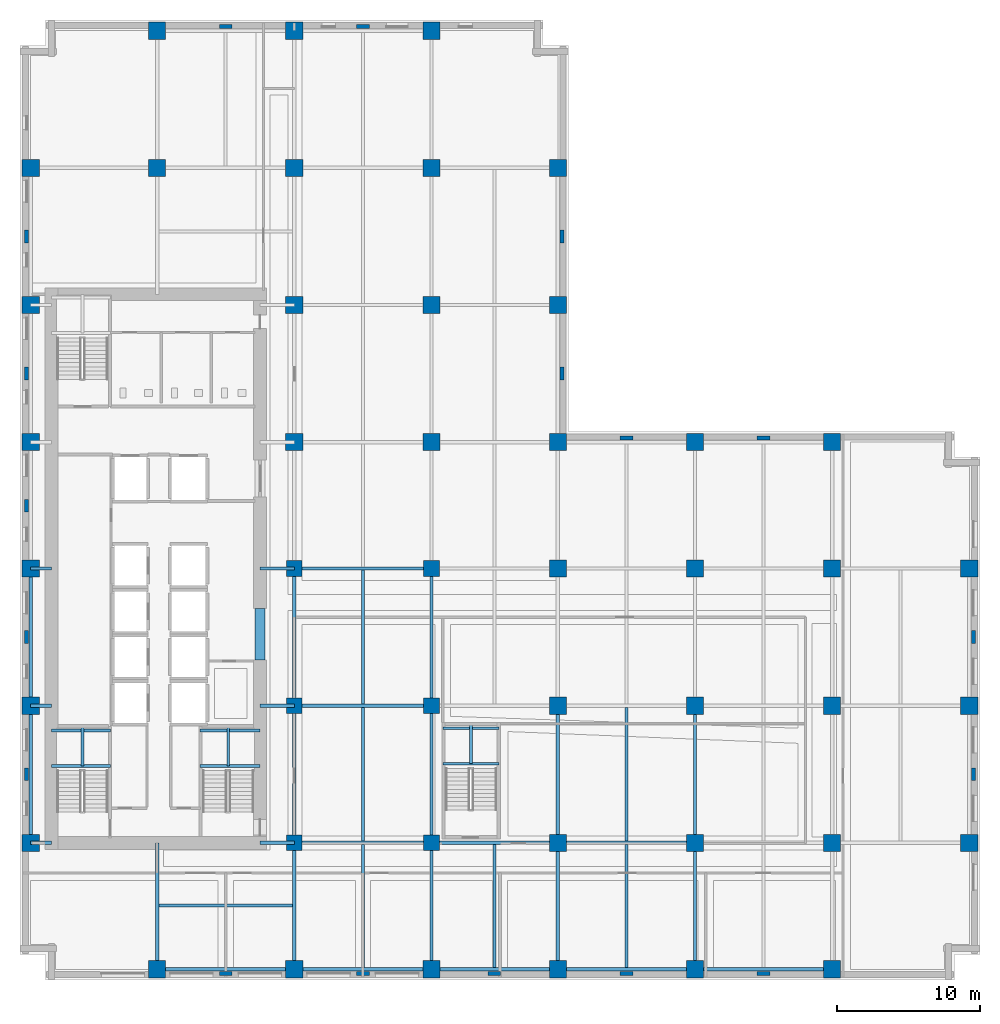
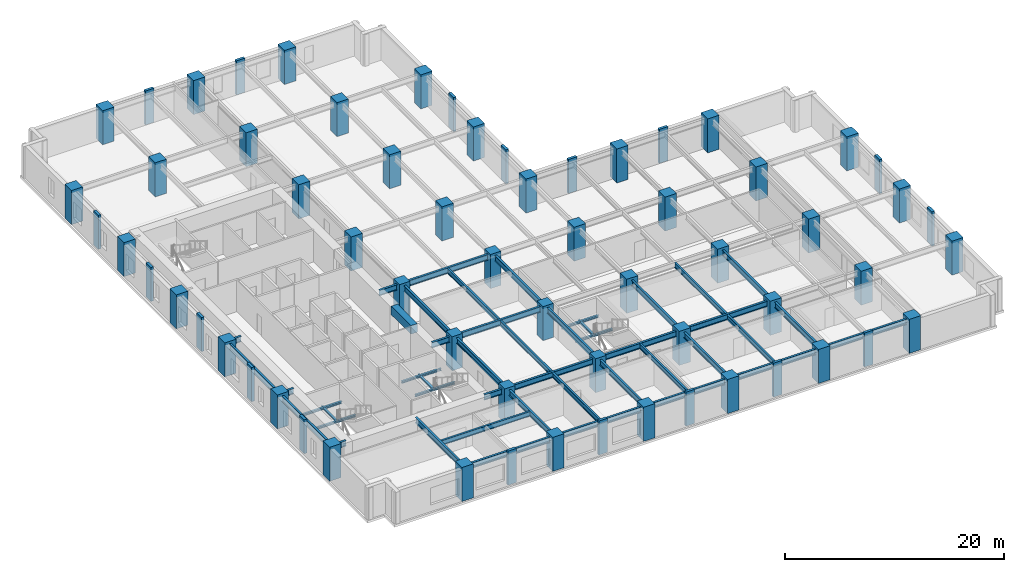
# One storey, part 1 of 13: 63 columns, 46 beams.
"""IFC4 building model written with IfcOpenShell, lengths in metres."""

from ifc_helpers import new_model, si_unit, direction, frame, origin, origin_2d, place, context, subcontext, project, spatial, rectangle, i_section, extrude, material, material_profile, profile_set, type_object, element, save


model = new_model("IFC4")

# Units and contexts
model_context = context("Model", 3, precision=1e-05, world=origin(), true_north=direction((0.0, 1.0)))
body_context = subcontext(model_context, "Body", "Model", "MODEL_VIEW")
ifc_project = project(units=[si_unit("LENGTHUNIT", "METRE"), si_unit("AREAUNIT", "SQUARE_METRE"), si_unit("VOLUMEUNIT", "CUBIC_METRE"), si_unit("PLANEANGLEUNIT", "RADIAN"), si_unit("MASSUNIT", "GRAM", prefix="KILO")], contexts=[model_context])

# Site, building, storey
site_placement = place(None, origin())
site = spatial("IfcSite", under=ifc_project, at=site_placement, CompositionType="ELEMENT")
building_placement = place(site_placement, origin())
building = spatial("IfcBuilding", under=site, at=building_placement, Name="Norrvale University Quadrangle", CompositionType="ELEMENT")
storey_placement = place(building_placement, frame((0.0, 0.0, 31.800048828125)))
storey = spatial("IfcBuildingStorey", under=building, at=storey_placement, Name="L07", CompositionType="ELEMENT", Elevation=31.800048828125)

# Columns
ifc_material_1 = material(Name="Buff Brick Concrete C60/75", Category="concrete")
ifc_material_profile_1 = material_profile(ifc_material_1, rectangle(XDim=0.89990234375, YDim=0.280029296875, at=origin_2d()), Name="Buff Brick Concrete C60/75")
ifc_profile_set_1 = profile_set([ifc_material_profile_1], Name="Buff Brick Concrete C60/75")
column_type_1 = type_object("IfcColumnType", Name="Column Buff Pier 900x280", PredefinedType="PILASTER", material=ifc_profile_set_1)
for number, where, z_axis, x_axis, name in (
    (1, (0.449951171875, 14.39990234375, 0.0), (0.0, 0.0, 1.0), (0.0, 1.0, 0.0), "Exterior Brick Facade Pilaster L07-01"),
    (2, (0.449951171875, 24.0, 0.0), (0.0, 0.0, 1.0), (0.0, 1.0, 0.0), "Exterior Brick Facade Pilaster L07-02"),
    (3, (0.449951171875, 33.199951171875, 0.0), (0.0, 0.0, 1.0), (0.0, 1.0, 0.0), "Exterior Brick Facade Pilaster L07-03"),
    (4, (0.449951171875, 42.449951171875, 0.0), (0.0, 0.0, 1.0), (0.0, 1.0, 0.0), "Exterior Brick Facade Pilaster L07-04"),
    (5, (0.449951171875, 52.050048828125, 0.0), (0.0, 0.0, 1.0), (0.0, 1.0, 0.0), "Exterior Brick Facade Pilaster L07-05"),
    (6, (14.39990234375, 0.449951171875, 0.0), (0.0, 0.0, 1.0), (1.0, 0.0, 0.0), "Exterior Brick Facade Pilaster L07-06"),
    (7, (24.0, 0.449951171875, 0.0), (0.0, 0.0, 1.0), (1.0, 0.0, 0.0), "Exterior Brick Facade Pilaster L07-07"),
    (8, (33.199951171875, 0.449951171875, 0.0), (0.0, 0.0, 1.0), (1.0, 0.0, 0.0), "Exterior Brick Facade Pilaster L07-08"),
    (9, (42.449951171875, 0.449951171875, 0.0), (0.0, 0.0, 1.0), (1.0, 0.0, 0.0), "Exterior Brick Facade Pilaster L07-09"),
    (10, (52.050048828125, 0.449951171875, 0.0), (0.0, 0.0, 1.0), (1.0, 0.0, 0.0), "Exterior Brick Facade Pilaster L07-10"),
    (11, (66.75, 14.39990234375, 0.0), (0.0, 0.0, 1.0), (0.0, 1.0, 0.0), "Exterior Brick Facade Pilaster L07-11"),
    (12, (66.75, 24.0, 0.0), (0.0, 0.0, 1.0), (0.0, 1.0, 0.0), "Exterior Brick Facade Pilaster L07-12"),
    (13, (14.39990234375, 66.75, 0.0), (0.0, 0.0, 1.0), (1.0, 0.0, 0.0), "Exterior Brick Facade Pilaster L07-13"),
    (14, (24.0, 66.75, 0.0), (0.0, 0.0, 1.0), (1.0, 0.0, 0.0), "Exterior Brick Facade Pilaster L07-14"),
    (15, (37.949951171875, 42.449951171875, 0.0), (0.0, 0.0, 1.0), (0.0, 1.0, 0.0), "Exterior Brick Facade Pilaster L07-15"),
    (16, (37.949951171875, 52.050048828125, 0.0), (0.0, 0.0, 1.0), (0.0, 1.0, 0.0), "Exterior Brick Facade Pilaster L07-16"),
    (17, (42.449951171875, 37.949951171875, 0.0), (0.0, 0.0, 1.0), (1.0, 0.0, 0.0), "Exterior Brick Facade Pilaster L07-17"),
    (18, (52.050048828125, 37.949951171875, 0.0), (0.0, 0.0, 1.0), (1.0, 0.0, 0.0), "Exterior Brick Facade Pilaster L07-18"),
):
    element("IfcColumn", number, at=place(storey_placement, frame(where, z_axis=z_axis, x_axis=x_axis)), inside=storey, type_object=column_type_1, Name=name, PredefinedType="PILASTER", context=body_context, shape_type="SweptSolid", body=[
        extrude(rectangle(XDim=0.89990234375, YDim=0.280029296875, at=origin_2d()), origin(), (0.0, 0.0, 1.0), 3.800048828125),
    ])
ifc_material_2 = material(Name="Concrete C80/95", Category="concrete")
ifc_material_profile_2 = material_profile(ifc_material_2, rectangle(XDim=1.10009765625, YDim=1.10009765625, at=origin_2d()), Name="Concrete C80/95")
ifc_profile_set_2 = profile_set([ifc_material_profile_2], Name="Concrete C80/95")
column_type_2 = type_object("IfcColumnType", Name="Column Tower Z1 1100x1100", PredefinedType="COLUMN", material=ifc_profile_set_2)
for number, where, z_axis, x_axis, name in (
    (19, (19.199951171875, 9.60009765625, 0.0), (0.0, 0.0, 1.0), (1.0, 0.0, 0.0), "Tower Column L07-T11"),
    (20, (19.199951171875, 19.199951171875, 0.0), (0.0, 0.0, 1.0), (1.0, 0.0, 0.0), "Tower Column L07-T12"),
    (21, (19.199951171875, 28.800048828125, 0.0), (0.0, 0.0, 1.0), (1.0, 0.0, 0.0), "Tower Column L07-T13"),
    (22, (28.800048828125, 9.60009765625, 0.0), (0.0, 0.0, 1.0), (1.0, 0.0, 0.0), "Tower Column L07-T19"),
    (23, (28.800048828125, 19.199951171875, 0.0), (0.0, 0.0, 1.0), (1.0, 0.0, 0.0), "Tower Column L07-T20"),
    (24, (28.800048828125, 28.800048828125, 0.0), (0.0, 0.0, 1.0), (1.0, 0.0, 0.0), "Tower Column L07-T21"),
):
    element("IfcColumn", number, at=place(storey_placement, frame(where, z_axis=z_axis, x_axis=x_axis)), inside=storey, type_object=column_type_2, Name=name, PredefinedType="COLUMN", context=body_context, shape_type="SweptSolid", body=[
        extrude(rectangle(XDim=1.10009765625, YDim=1.10009765625, at=origin_2d()), origin(), (0.0, 0.0, 1.0), 3.800048828125),
    ])
ifc_material_profile_3 = material_profile(ifc_material_2, rectangle(XDim=1.199951171875, YDim=1.199951171875, at=origin_2d()), Name="Concrete C80/95")
ifc_profile_set_3 = profile_set([ifc_material_profile_3], Name="Concrete C80/95")
column_type_3 = type_object("IfcColumnType", Name="Column Tower Z1 1200x1200", PredefinedType="COLUMN", material=ifc_profile_set_3)
for number, where, z_axis, x_axis, name in (
    (25, (0.75, 9.60009765625, 0.0), (0.0, 0.0, 1.0), (1.0, 0.0, 0.0), "Tower Column L07-T01"),
    (26, (0.75, 19.199951171875, 0.0), (0.0, 0.0, 1.0), (1.0, 0.0, 0.0), "Tower Column L07-T02"),
    (27, (0.75, 28.800048828125, 0.0), (0.0, 0.0, 1.0), (1.0, 0.0, 0.0), "Tower Column L07-T03"),
    (28, (0.75, 37.64990234375, 0.0), (0.0, 0.0, 1.0), (1.0, 0.0, 0.0), "Tower Column L07-T04"),
    (29, (0.75, 47.25, 0.0), (0.0, 0.0, 1.0), (1.0, 0.0, 0.0), "Tower Column L07-T05"),
    (30, (0.75, 56.85009765625, 0.0), (0.0, 0.0, 1.0), (1.0, 0.0, 0.0), "Tower Column L07-T06"),
    (31, (9.60009765625, 0.75, 0.0), (0.0, 0.0, 1.0), (1.0, 0.0, 0.0), "Tower Column L07-T07"),
    (32, (9.60009765625, 56.85009765625, 0.0), (0.0, 0.0, 1.0), (1.0, 0.0, 0.0), "Tower Column L07-T08"),
    (33, (9.60009765625, 66.449951171875, 0.0), (0.0, 0.0, 1.0), (1.0, 0.0, 0.0), "Tower Column L07-T09"),
    (34, (19.199951171875, 0.75, 0.0), (0.0, 0.0, 1.0), (1.0, 0.0, 0.0), "Tower Column L07-T10"),
    (35, (19.199951171875, 37.64990234375, 0.0), (0.0, 0.0, 1.0), (1.0, 0.0, 0.0), "Tower Column L07-T14"),
    (36, (19.199951171875, 47.25, 0.0), (0.0, 0.0, 1.0), (1.0, 0.0, 0.0), "Tower Column L07-T15"),
    (37, (19.199951171875, 56.85009765625, 0.0), (0.0, 0.0, 1.0), (1.0, 0.0, 0.0), "Tower Column L07-T16"),
    (38, (19.199951171875, 66.449951171875, 0.0), (0.0, 0.0, 1.0), (1.0, 0.0, 0.0), "Tower Column L07-T17"),
    (39, (28.800048828125, 0.75, 0.0), (0.0, 0.0, 1.0), (1.0, 0.0, 0.0), "Tower Column L07-T18"),
    (40, (28.800048828125, 37.64990234375, 0.0), (0.0, 0.0, 1.0), (1.0, 0.0, 0.0), "Tower Column L07-T22"),
    (41, (28.800048828125, 47.25, 0.0), (0.0, 0.0, 1.0), (1.0, 0.0, 0.0), "Tower Column L07-T23"),
    (42, (28.800048828125, 56.85009765625, 0.0), (0.0, 0.0, 1.0), (1.0, 0.0, 0.0), "Tower Column L07-T24"),
    (43, (28.800048828125, 66.449951171875, 0.0), (0.0, 0.0, 1.0), (1.0, 0.0, 0.0), "Tower Column L07-T25"),
    (44, (37.64990234375, 0.75, 0.0), (0.0, 0.0, 1.0), (1.0, 0.0, 0.0), "Tower Column L07-T26"),
    (45, (37.64990234375, 9.60009765625, 0.0), (0.0, 0.0, 1.0), (1.0, 0.0, 0.0), "Tower Column L07-T27"),
    (46, (37.64990234375, 19.199951171875, 0.0), (0.0, 0.0, 1.0), (1.0, 0.0, 0.0), "Tower Column L07-T28"),
    (47, (37.64990234375, 28.800048828125, 0.0), (0.0, 0.0, 1.0), (1.0, 0.0, 0.0), "Tower Column L07-T29"),
    (48, (37.64990234375, 37.64990234375, 0.0), (0.0, 0.0, 1.0), (1.0, 0.0, 0.0), "Tower Column L07-T30"),
    (49, (37.64990234375, 47.25, 0.0), (0.0, 0.0, 1.0), (1.0, 0.0, 0.0), "Tower Column L07-T31"),
    (50, (37.64990234375, 56.85009765625, 0.0), (0.0, 0.0, 1.0), (1.0, 0.0, 0.0), "Tower Column L07-T32"),
    (51, (47.25, 0.75, 0.0), (0.0, 0.0, 1.0), (1.0, 0.0, 0.0), "Tower Column L07-T33"),
    (52, (47.25, 9.60009765625, 0.0), (0.0, 0.0, 1.0), (1.0, 0.0, 0.0), "Tower Column L07-T34"),
    (53, (47.25, 19.199951171875, 0.0), (0.0, 0.0, 1.0), (1.0, 0.0, 0.0), "Tower Column L07-T35"),
    (54, (47.25, 28.800048828125, 0.0), (0.0, 0.0, 1.0), (1.0, 0.0, 0.0), "Tower Column L07-T36"),
    (55, (47.25, 37.64990234375, 0.0), (0.0, 0.0, 1.0), (1.0, 0.0, 0.0), "Tower Column L07-T37"),
    (56, (56.85009765625, 0.75, 0.0), (0.0, 0.0, 1.0), (1.0, 0.0, 0.0), "Tower Column L07-T38"),
    (57, (56.85009765625, 9.60009765625, 0.0), (0.0, 0.0, 1.0), (1.0, 0.0, 0.0), "Tower Column L07-T39"),
    (58, (56.85009765625, 19.199951171875, 0.0), (0.0, 0.0, 1.0), (1.0, 0.0, 0.0), "Tower Column L07-T40"),
    (59, (56.85009765625, 28.800048828125, 0.0), (0.0, 0.0, 1.0), (1.0, 0.0, 0.0), "Tower Column L07-T41"),
    (60, (56.85009765625, 37.64990234375, 0.0), (0.0, 0.0, 1.0), (1.0, 0.0, 0.0), "Tower Column L07-T42"),
    (61, (66.449951171875, 9.60009765625, 0.0), (0.0, 0.0, 1.0), (1.0, 0.0, 0.0), "Tower Column L07-T43"),
    (62, (66.449951171875, 19.199951171875, 0.0), (0.0, 0.0, 1.0), (1.0, 0.0, 0.0), "Tower Column L07-T44"),
    (63, (66.449951171875, 28.800048828125, 0.0), (0.0, 0.0, 1.0), (1.0, 0.0, 0.0), "Tower Column L07-T45"),
):
    element("IfcColumn", number, at=place(storey_placement, frame(where, z_axis=z_axis, x_axis=x_axis)), inside=storey, type_object=column_type_3, Name=name, PredefinedType="COLUMN", context=body_context, shape_type="SweptSolid", body=[
        extrude(rectangle(XDim=1.199951171875, YDim=1.199951171875, at=origin_2d()), origin(), (0.0, 0.0, 1.0), 3.800048828125),
    ])

# Beams
ifc_material_profile_4 = material_profile(ifc_material_2, rectangle(XDim=0.699951171875, YDim=0.949951171875, at=origin_2d()), Name="Concrete C80/95")
ifc_profile_set_4 = profile_set([ifc_material_profile_4], Name="Concrete C80/95")
beam_type_1 = type_object("IfcBeamType", Name="Beam Core Link 700x950", PredefinedType="LINTEL", material=ifc_profile_set_4)
beam_1_placement = place(storey_placement, frame((16.800048828125, 22.39990234375, 3.06494140625), z_axis=(0.0, 1.0, 0.0), x_axis=(-1.0, 0.0, 0.0)))
element("IfcBeam", 64, at=beam_1_placement, inside=storey, type_object=beam_type_1, Name="Core Coupling Lintel Beam L07-1", PredefinedType="LINTEL", context=body_context, shape_type="SweptSolid", body=[
    extrude(rectangle(XDim=0.699951171875, YDim=0.949951171875, at=origin_2d()), origin(), (0.0, 0.0, 1.0), 3.60009765625),
])
ifc_material_3 = material(Name="Steel 350W", Category="steel")
ifc_material_profile_5 = material_profile(ifc_material_3, i_section(OverallWidth=0.208984375, OverallDepth=0.532958984375, WebThickness=0.01025390625, FlangeThickness=0.015625, FilletRadius=0.013916015625, at=origin_2d()), Name="Steel 350W")
ifc_profile_set_5 = profile_set([ifc_material_profile_5], Name="Steel 350W")
beam_type_2 = type_object("IfcBeamType", Name="Beam Floor W530x92", PredefinedType="JOIST", material=ifc_profile_set_5)
beam_2_placement = place(storey_placement, frame((24.0, 0.864990234375, 3.2734375), z_axis=(0.0, 1.0, 0.0), x_axis=(-1.0, 0.0, 0.0)))
element("IfcBeam", 65, at=beam_2_placement, inside=storey, type_object=beam_type_2, Name="Beam Floor W530x92 BM-L07-J080", PredefinedType="JOIST", context=body_context, shape_type="SweptSolid", body=[
    extrude(i_section(OverallWidth=0.208984375, OverallDepth=0.532958984375, WebThickness=0.01025390625, FlangeThickness=0.015625, FilletRadius=0.013916015625, at=origin_2d()), origin(), (0.0, 0.0, 1.0), 8.6201171875),
])
beam_3_placement = place(storey_placement, frame((24.0, 9.715087890625, 3.2734375), z_axis=(0.0, 1.0, 0.0), x_axis=(-1.0, 0.0, 0.0)))
element("IfcBeam", 66, at=beam_3_placement, inside=storey, type_object=beam_type_2, Name="Beam Floor W530x92 BM-L07-J081", PredefinedType="JOIST", context=body_context, shape_type="SweptSolid", body=[
    extrude(i_section(OverallWidth=0.208984375, OverallDepth=0.532958984375, WebThickness=0.01025390625, FlangeThickness=0.015625, FilletRadius=0.013916015625, at=origin_2d()), origin(), (0.0, 0.0, 1.0), 9.369873046875),
])
beam_4_placement = place(storey_placement, frame((24.0, 19.31494140625, 3.2734375), z_axis=(0.0, 1.0, 0.0), x_axis=(-1.0, 0.0, 0.0)))
element("IfcBeam", 67, at=beam_4_placement, inside=storey, type_object=beam_type_2, Name="Beam Floor W530x92 BM-L07-J082", PredefinedType="JOIST", context=body_context, shape_type="SweptSolid", body=[
    extrude(i_section(OverallWidth=0.208984375, OverallDepth=0.532958984375, WebThickness=0.01025390625, FlangeThickness=0.015625, FilletRadius=0.013916015625, at=origin_2d()), origin(), (0.0, 0.0, 1.0), 9.3701171875),
])
for number, where, z_axis, x_axis, name in (
    (68, (33.22509765625, 0.864990234375, 3.2734375), (0.0, 1.0, 0.0), (-1.0, 0.0, 0.0), "Beam Floor W530x92 BM-L07-J087"),
    (69, (42.449951171875, 0.864990234375, 3.2734375), (0.0, 1.0, 0.0), (-1.0, 0.0, 0.0), "Beam Floor W530x92 BM-L07-J092"),
):
    element("IfcBeam", number, at=place(storey_placement, frame(where, z_axis=z_axis, x_axis=x_axis)), inside=storey, type_object=beam_type_2, Name=name, PredefinedType="JOIST", context=body_context, shape_type="SweptSolid", body=[
        extrude(i_section(OverallWidth=0.208984375, OverallDepth=0.532958984375, WebThickness=0.01025390625, FlangeThickness=0.015625, FilletRadius=0.013916015625, at=origin_2d()), origin(), (0.0, 0.0, 1.0), 8.6201171875),
    ])
for number, where, z_axis, x_axis, name in (
    (70, (42.449951171875, 9.715087890625, 3.2734375), (0.0, 1.0, 0.0), (-1.0, 0.0, 0.0), "Beam Floor W530x92 BM-L07-J093"),
    (71, (9.715087890625, 5.199951171875, 3.2734375), (1.0, 0.0, 0.0), (0.0, 1.0, 0.0), "Beam Floor W530x92 BM-L07-JCS103"),
):
    element("IfcBeam", number, at=place(storey_placement, frame(where, z_axis=z_axis, x_axis=x_axis)), inside=storey, type_object=beam_type_2, Name=name, PredefinedType="JOIST", context=body_context, shape_type="SweptSolid", body=[
        extrude(i_section(OverallWidth=0.208984375, OverallDepth=0.532958984375, WebThickness=0.01025390625, FlangeThickness=0.015625, FilletRadius=0.013916015625, at=origin_2d()), origin(), (0.0, 0.0, 1.0), 9.369873046875),
    ])
ifc_material_profile_6 = material_profile(ifc_material_3, i_section(OverallWidth=0.22998046875, OverallDepth=0.616943359375, WebThickness=0.01318359375, FlangeThickness=0.022216796875, FilletRadius=0.01611328125, at=origin_2d()), Name="Steel 350W")
ifc_profile_set_6 = profile_set([ifc_material_profile_6], Name="Steel 350W")
beam_type_3 = type_object("IfcBeamType", Name="Beam Floor W610x140", PredefinedType="BEAM", material=ifc_profile_set_6)
beam_5_placement = place(storey_placement, frame((9.60009765625, 0.75, 3.2314453125), z_axis=(1.0, 0.0, 0.0), x_axis=(0.0, 1.0, 0.0)))
element("IfcBeam", 72, at=beam_5_placement, inside=storey, type_object=beam_type_3, Name="Beam Floor W610x140 BM-L07-GX001", PredefinedType="BEAM", context=body_context, shape_type="SweptSolid", body=[
    extrude(i_section(OverallWidth=0.22998046875, OverallDepth=0.616943359375, WebThickness=0.01318359375, FlangeThickness=0.022216796875, FilletRadius=0.01611328125, at=origin_2d()), origin(), (0.0, 0.0, 1.0), 9.599853515625),
])
beam_6_placement = place(storey_placement, frame((19.199951171875, 0.75, 3.2314453125), z_axis=(1.0, 0.0, 0.0), x_axis=(0.0, 1.0, 0.0)))
element("IfcBeam", 73, at=beam_6_placement, inside=storey, type_object=beam_type_3, Name="Beam Floor W610x140 BM-L07-GX002", PredefinedType="BEAM", context=body_context, shape_type="SweptSolid", body=[
    extrude(i_section(OverallWidth=0.22998046875, OverallDepth=0.616943359375, WebThickness=0.01318359375, FlangeThickness=0.022216796875, FilletRadius=0.01611328125, at=origin_2d()), origin(), (0.0, 0.0, 1.0), 9.60009765625),
])
beam_7_placement = place(storey_placement, frame((28.800048828125, 0.75, 3.2314453125), z_axis=(1.0, 0.0, 0.0), x_axis=(0.0, 1.0, 0.0)))
element("IfcBeam", 74, at=beam_7_placement, inside=storey, type_object=beam_type_3, Name="Beam Floor W610x140 BM-L07-GX003", PredefinedType="BEAM", context=body_context, shape_type="SweptSolid", body=[
    extrude(i_section(OverallWidth=0.22998046875, OverallDepth=0.616943359375, WebThickness=0.01318359375, FlangeThickness=0.022216796875, FilletRadius=0.01611328125, at=origin_2d()), origin(), (0.0, 0.0, 1.0), 8.849853515625),
])
for number, where, z_axis, x_axis, name in (
    (75, (37.64990234375, 0.75, 3.2314453125), (1.0, 0.0, 0.0), (0.0, 1.0, 0.0), "Beam Floor W610x140 BM-L07-GX004"),
    (76, (47.25, 0.75, 3.2314453125), (1.0, 0.0, 0.0), (0.0, 1.0, 0.0), "Beam Floor W610x140 BM-L07-GX005"),
    (77, (19.199951171875, 9.60009765625, 3.2314453125), (1.0, 0.0, 0.0), (0.0, 1.0, 0.0), "Beam Floor W610x140 BM-L07-GX006"),
):
    element("IfcBeam", number, at=place(storey_placement, frame(where, z_axis=z_axis, x_axis=x_axis)), inside=storey, type_object=beam_type_3, Name=name, PredefinedType="BEAM", context=body_context, shape_type="SweptSolid", body=[
        extrude(i_section(OverallWidth=0.22998046875, OverallDepth=0.616943359375, WebThickness=0.01318359375, FlangeThickness=0.022216796875, FilletRadius=0.01611328125, at=origin_2d()), origin(), (0.0, 0.0, 1.0), 9.60009765625),
    ])
beam_8_placement = place(storey_placement, frame((28.800048828125, 9.60009765625, 3.2314453125), z_axis=(1.0, 0.0, 0.0), x_axis=(0.0, 1.0, 0.0)))
element("IfcBeam", 78, at=beam_8_placement, inside=storey, type_object=beam_type_3, Name="Beam Floor W610x140 BM-L07-GX007", PredefinedType="BEAM", context=body_context, shape_type="SweptSolid", body=[
    extrude(i_section(OverallWidth=0.22998046875, OverallDepth=0.616943359375, WebThickness=0.01318359375, FlangeThickness=0.022216796875, FilletRadius=0.01611328125, at=origin_2d()), origin(), (0.0, 0.0, 1.0), 8.849853515625),
])
for number, where, z_axis, x_axis, name in (
    (79, (37.64990234375, 9.60009765625, 3.2314453125), (1.0, 0.0, 0.0), (0.0, 1.0, 0.0), "Beam Floor W610x140 BM-L07-GX008"),
    (80, (19.199951171875, 19.199951171875, 3.2314453125), (1.0, 0.0, 0.0), (0.0, 1.0, 0.0), "Beam Floor W610x140 BM-L07-GX011"),
    (81, (19.199951171875, 28.800048828125, 3.2314453125), (1.0, 0.0, 0.0), (0.0, 1.0, 0.0), "Beam Floor W610x140 BM-L07-GX016"),
):
    element("IfcBeam", number, at=place(storey_placement, frame(where, z_axis=z_axis, x_axis=x_axis)), inside=storey, type_object=beam_type_3, Name=name, PredefinedType="BEAM", context=body_context, shape_type="SweptSolid", body=[
        extrude(i_section(OverallWidth=0.22998046875, OverallDepth=0.616943359375, WebThickness=0.01318359375, FlangeThickness=0.022216796875, FilletRadius=0.01611328125, at=origin_2d()), origin(), (0.0, 0.0, 1.0), 9.60009765625),
    ])
beam_9_placement = place(storey_placement, frame((0.75, 9.60009765625, 3.2314453125), z_axis=(0.0, 1.0, 0.0), x_axis=(-1.0, 0.0, 0.0)))
element("IfcBeam", 82, at=beam_9_placement, inside=storey, type_object=beam_type_3, Name="Beam Floor W610x140 BM-L07-GY033", PredefinedType="BEAM", context=body_context, shape_type="SweptSolid", body=[
    extrude(i_section(OverallWidth=0.22998046875, OverallDepth=0.616943359375, WebThickness=0.01318359375, FlangeThickness=0.022216796875, FilletRadius=0.01611328125, at=origin_2d()), origin(), (0.0, 0.0, 1.0), 9.599853515625),
])
beam_10_placement = place(storey_placement, frame((0.75, 19.199951171875, 3.2314453125), z_axis=(0.0, 1.0, 0.0), x_axis=(-1.0, 0.0, 0.0)))
element("IfcBeam", 83, at=beam_10_placement, inside=storey, type_object=beam_type_3, Name="Beam Floor W610x140 BM-L07-GY034", PredefinedType="BEAM", context=body_context, shape_type="SweptSolid", body=[
    extrude(i_section(OverallWidth=0.22998046875, OverallDepth=0.616943359375, WebThickness=0.01318359375, FlangeThickness=0.022216796875, FilletRadius=0.01611328125, at=origin_2d()), origin(), (0.0, 0.0, 1.0), 9.60009765625),
])
beam_11_placement = place(storey_placement, frame((19.199951171875, 0.75, 3.2314453125), z_axis=(0.0, 1.0, 0.0), x_axis=(-1.0, 0.0, 0.0)))
element("IfcBeam", 84, at=beam_11_placement, inside=storey, type_object=beam_type_3, Name="Beam Floor W610x140 BM-L07-GY039", PredefinedType="BEAM", context=body_context, shape_type="SweptSolid", body=[
    extrude(i_section(OverallWidth=0.22998046875, OverallDepth=0.616943359375, WebThickness=0.01318359375, FlangeThickness=0.022216796875, FilletRadius=0.01611328125, at=origin_2d()), origin(), (0.0, 0.0, 1.0), 8.85009765625),
])
beam_12_placement = place(storey_placement, frame((19.199951171875, 9.60009765625, 3.2314453125), z_axis=(0.0, 1.0, 0.0), x_axis=(-1.0, 0.0, 0.0)))
element("IfcBeam", 85, at=beam_12_placement, inside=storey, type_object=beam_type_3, Name="Beam Floor W610x140 BM-L07-GY040", PredefinedType="BEAM", context=body_context, shape_type="SweptSolid", body=[
    extrude(i_section(OverallWidth=0.22998046875, OverallDepth=0.616943359375, WebThickness=0.01318359375, FlangeThickness=0.022216796875, FilletRadius=0.01611328125, at=origin_2d()), origin(), (0.0, 0.0, 1.0), 9.599853515625),
])
beam_13_placement = place(storey_placement, frame((19.199951171875, 19.199951171875, 3.2314453125), z_axis=(0.0, 1.0, 0.0), x_axis=(-1.0, 0.0, 0.0)))
element("IfcBeam", 86, at=beam_13_placement, inside=storey, type_object=beam_type_3, Name="Beam Floor W610x140 BM-L07-GY041", PredefinedType="BEAM", context=body_context, shape_type="SweptSolid", body=[
    extrude(i_section(OverallWidth=0.22998046875, OverallDepth=0.616943359375, WebThickness=0.01318359375, FlangeThickness=0.022216796875, FilletRadius=0.01611328125, at=origin_2d()), origin(), (0.0, 0.0, 1.0), 9.60009765625),
])
beam_14_placement = place(storey_placement, frame((28.800048828125, 0.75, 3.2314453125), z_axis=(0.0, 1.0, 0.0), x_axis=(-1.0, 0.0, 0.0)))
element("IfcBeam", 87, at=beam_14_placement, inside=storey, type_object=beam_type_3, Name="Beam Floor W610x140 BM-L07-GY046", PredefinedType="BEAM", context=body_context, shape_type="SweptSolid", body=[
    extrude(i_section(OverallWidth=0.22998046875, OverallDepth=0.616943359375, WebThickness=0.01318359375, FlangeThickness=0.022216796875, FilletRadius=0.01611328125, at=origin_2d()), origin(), (0.0, 0.0, 1.0), 8.85009765625),
])
beam_15_placement = place(storey_placement, frame((28.800048828125, 9.60009765625, 3.2314453125), z_axis=(0.0, 1.0, 0.0), x_axis=(-1.0, 0.0, 0.0)))
element("IfcBeam", 88, at=beam_15_placement, inside=storey, type_object=beam_type_3, Name="Beam Floor W610x140 BM-L07-GY047", PredefinedType="BEAM", context=body_context, shape_type="SweptSolid", body=[
    extrude(i_section(OverallWidth=0.22998046875, OverallDepth=0.616943359375, WebThickness=0.01318359375, FlangeThickness=0.022216796875, FilletRadius=0.01611328125, at=origin_2d()), origin(), (0.0, 0.0, 1.0), 9.599853515625),
])
beam_16_placement = place(storey_placement, frame((28.800048828125, 19.199951171875, 3.2314453125), z_axis=(0.0, 1.0, 0.0), x_axis=(-1.0, 0.0, 0.0)))
element("IfcBeam", 89, at=beam_16_placement, inside=storey, type_object=beam_type_3, Name="Beam Floor W610x140 BM-L07-GY048", PredefinedType="BEAM", context=body_context, shape_type="SweptSolid", body=[
    extrude(i_section(OverallWidth=0.22998046875, OverallDepth=0.616943359375, WebThickness=0.01318359375, FlangeThickness=0.022216796875, FilletRadius=0.01611328125, at=origin_2d()), origin(), (0.0, 0.0, 1.0), 9.60009765625),
])
beam_17_placement = place(storey_placement, frame((37.64990234375, 0.75, 3.2314453125), z_axis=(0.0, 1.0, 0.0), x_axis=(-1.0, 0.0, 0.0)))
element("IfcBeam", 90, at=beam_17_placement, inside=storey, type_object=beam_type_3, Name="Beam Floor W610x140 BM-L07-GY053", PredefinedType="BEAM", context=body_context, shape_type="SweptSolid", body=[
    extrude(i_section(OverallWidth=0.22998046875, OverallDepth=0.616943359375, WebThickness=0.01318359375, FlangeThickness=0.022216796875, FilletRadius=0.01611328125, at=origin_2d()), origin(), (0.0, 0.0, 1.0), 8.85009765625),
])
beam_18_placement = place(storey_placement, frame((37.64990234375, 9.60009765625, 3.2314453125), z_axis=(0.0, 1.0, 0.0), x_axis=(-1.0, 0.0, 0.0)))
element("IfcBeam", 91, at=beam_18_placement, inside=storey, type_object=beam_type_3, Name="Beam Floor W610x140 BM-L07-GY054", PredefinedType="BEAM", context=body_context, shape_type="SweptSolid", body=[
    extrude(i_section(OverallWidth=0.22998046875, OverallDepth=0.616943359375, WebThickness=0.01318359375, FlangeThickness=0.022216796875, FilletRadius=0.01611328125, at=origin_2d()), origin(), (0.0, 0.0, 1.0), 9.599853515625),
])
beam_19_placement = place(storey_placement, frame((47.25, 0.75, 3.2314453125), z_axis=(0.0, 1.0, 0.0), x_axis=(-1.0, 0.0, 0.0)))
element("IfcBeam", 92, at=beam_19_placement, inside=storey, type_object=beam_type_3, Name="Beam Floor W610x140 BM-L07-GY059", PredefinedType="BEAM", context=body_context, shape_type="SweptSolid", body=[
    extrude(i_section(OverallWidth=0.22998046875, OverallDepth=0.616943359375, WebThickness=0.01318359375, FlangeThickness=0.022216796875, FilletRadius=0.01611328125, at=origin_2d()), origin(), (0.0, 0.0, 1.0), 8.85009765625),
])
beam_20_placement = place(storey_placement, frame((47.25, 9.60009765625, 3.2314453125), z_axis=(0.0, 1.0, 0.0), x_axis=(-1.0, 0.0, 0.0)))
element("IfcBeam", 93, at=beam_20_placement, inside=storey, type_object=beam_type_3, Name="Beam Floor W610x140 BM-L07-GY060", PredefinedType="BEAM", context=body_context, shape_type="SweptSolid", body=[
    extrude(i_section(OverallWidth=0.22998046875, OverallDepth=0.616943359375, WebThickness=0.01318359375, FlangeThickness=0.022216796875, FilletRadius=0.01611328125, at=origin_2d()), origin(), (0.0, 0.0, 1.0), 9.599853515625),
])
beam_21_placement = place(storey_placement, frame((0.75, 9.60009765625, 3.2314453125), z_axis=(1.0, 0.0, 0.0), x_axis=(0.0, 1.0, 0.0)))
element("IfcBeam", 94, at=beam_21_placement, inside=storey, type_object=beam_type_3, Name="Beam Floor W610x140 BM-L07-GCW069", PredefinedType="BEAM", context=body_context, shape_type="SweptSolid", body=[
    extrude(i_section(OverallWidth=0.22998046875, OverallDepth=0.616943359375, WebThickness=0.01318359375, FlangeThickness=0.022216796875, FilletRadius=0.01611328125, at=origin_2d()), origin(), (0.0, 0.0, 1.0), 1.449951171875),
])
beam_22_placement = place(storey_placement, frame((16.800048828125, 9.60009765625, 3.2314453125), z_axis=(1.0, 0.0, 0.0), x_axis=(0.0, 1.0, 0.0)))
element("IfcBeam", 95, at=beam_22_placement, inside=storey, type_object=beam_type_3, Name="Beam Floor W610x140 BM-L07-GCE070", PredefinedType="BEAM", context=body_context, shape_type="SweptSolid", body=[
    extrude(i_section(OverallWidth=0.22998046875, OverallDepth=0.616943359375, WebThickness=0.01318359375, FlangeThickness=0.022216796875, FilletRadius=0.01611328125, at=origin_2d()), origin(), (0.0, 0.0, 1.0), 2.39990234375),
])
beam_23_placement = place(storey_placement, frame((0.75, 19.199951171875, 3.2314453125), z_axis=(1.0, 0.0, 0.0), x_axis=(0.0, 1.0, 0.0)))
element("IfcBeam", 96, at=beam_23_placement, inside=storey, type_object=beam_type_3, Name="Beam Floor W610x140 BM-L07-GCW071", PredefinedType="BEAM", context=body_context, shape_type="SweptSolid", body=[
    extrude(i_section(OverallWidth=0.22998046875, OverallDepth=0.616943359375, WebThickness=0.01318359375, FlangeThickness=0.022216796875, FilletRadius=0.01611328125, at=origin_2d()), origin(), (0.0, 0.0, 1.0), 1.449951171875),
])
beam_24_placement = place(storey_placement, frame((16.800048828125, 19.199951171875, 3.2314453125), z_axis=(1.0, 0.0, 0.0), x_axis=(0.0, 1.0, 0.0)))
element("IfcBeam", 97, at=beam_24_placement, inside=storey, type_object=beam_type_3, Name="Beam Floor W610x140 BM-L07-GCE072", PredefinedType="BEAM", context=body_context, shape_type="SweptSolid", body=[
    extrude(i_section(OverallWidth=0.22998046875, OverallDepth=0.616943359375, WebThickness=0.01318359375, FlangeThickness=0.022216796875, FilletRadius=0.01611328125, at=origin_2d()), origin(), (0.0, 0.0, 1.0), 2.39990234375),
])
beam_25_placement = place(storey_placement, frame((0.75, 28.800048828125, 3.2314453125), z_axis=(1.0, 0.0, 0.0), x_axis=(0.0, 1.0, 0.0)))
element("IfcBeam", 98, at=beam_25_placement, inside=storey, type_object=beam_type_3, Name="Beam Floor W610x140 BM-L07-GCW073", PredefinedType="BEAM", context=body_context, shape_type="SweptSolid", body=[
    extrude(i_section(OverallWidth=0.22998046875, OverallDepth=0.616943359375, WebThickness=0.01318359375, FlangeThickness=0.022216796875, FilletRadius=0.01611328125, at=origin_2d()), origin(), (0.0, 0.0, 1.0), 1.449951171875),
])
beam_26_placement = place(storey_placement, frame((16.800048828125, 28.800048828125, 3.2314453125), z_axis=(1.0, 0.0, 0.0), x_axis=(0.0, 1.0, 0.0)))
element("IfcBeam", 99, at=beam_26_placement, inside=storey, type_object=beam_type_3, Name="Beam Floor W610x140 BM-L07-GCE074", PredefinedType="BEAM", context=body_context, shape_type="SweptSolid", body=[
    extrude(i_section(OverallWidth=0.22998046875, OverallDepth=0.616943359375, WebThickness=0.01318359375, FlangeThickness=0.022216796875, FilletRadius=0.01611328125, at=origin_2d()), origin(), (0.0, 0.0, 1.0), 2.39990234375),
])
beam_27_placement = place(storey_placement, frame((9.60009765625, 0.75, 3.2314453125), z_axis=(0.0, 1.0, 0.0), x_axis=(-1.0, 0.0, 0.0)))
element("IfcBeam", 100, at=beam_27_placement, inside=storey, type_object=beam_type_3, Name="Beam Floor W610x140 BM-L07-GCS102", PredefinedType="BEAM", context=body_context, shape_type="SweptSolid", body=[
    extrude(i_section(OverallWidth=0.22998046875, OverallDepth=0.616943359375, WebThickness=0.01318359375, FlangeThickness=0.022216796875, FilletRadius=0.01611328125, at=origin_2d()), origin(), (0.0, 0.0, 1.0), 8.85009765625),
])
ifc_material_profile_7 = material_profile(ifc_material_3, i_section(OverallWidth=0.201904296875, OverallDepth=0.2470703125, WebThickness=0.00732421875, FlangeThickness=0.010986328125, FilletRadius=0.011962890625, at=origin_2d()), Name="Steel 350W")
ifc_profile_set_7 = profile_set([ifc_material_profile_7], Name="Steel 350W")
beam_type_4 = type_object("IfcBeamType", Name="Beam Stair W250x49", PredefinedType="BEAM", material=ifc_profile_set_7)
for number, where, z_axis, x_axis, name in (
    (101, (2.199951171875, 14.989990234375, 1.576416015625), (1.0, 0.0, 0.0), (0.0, 1.0, 0.0), "Stair Mid-Landing Front Beam ST-01 L07"),
    (102, (2.199951171875, 17.469970703125, 1.576416015625), (1.0, 0.0, 0.0), (0.0, 1.0, 0.0), "Stair Mid-Landing Rear Beam ST-01 L07"),
):
    element("IfcBeam", number, at=place(storey_placement, frame(where, z_axis=z_axis, x_axis=x_axis)), inside=storey, type_object=beam_type_4, Name=name, PredefinedType="BEAM", context=body_context, shape_type="SweptSolid", body=[
        extrude(i_section(OverallWidth=0.201904296875, OverallDepth=0.2470703125, WebThickness=0.00732421875, FlangeThickness=0.010986328125, FilletRadius=0.011962890625, at=origin_2d()), origin(), (0.0, 0.0, 1.0), 4.14013671875),
    ])
for number, where, z_axis, x_axis, name in (
    (103, (12.610107421875, 14.989990234375, 1.576416015625), (1.0, 0.0, 0.0), (0.0, 1.0, 0.0), "Stair Mid-Landing Front Beam ST-03 L07"),
    (104, (12.610107421875, 17.469970703125, 1.576416015625), (1.0, 0.0, 0.0), (0.0, 1.0, 0.0), "Stair Mid-Landing Rear Beam ST-03 L07"),
):
    element("IfcBeam", number, at=place(storey_placement, frame(where, z_axis=z_axis, x_axis=x_axis)), inside=storey, type_object=beam_type_4, Name=name, PredefinedType="BEAM", context=body_context, shape_type="SweptSolid", body=[
        extrude(i_section(OverallWidth=0.201904296875, OverallDepth=0.2470703125, WebThickness=0.00732421875, FlangeThickness=0.010986328125, FilletRadius=0.011962890625, at=origin_2d()), origin(), (0.0, 0.0, 1.0), 4.18994140625),
    ])
for number, where, z_axis, x_axis, name in (
    (105, (29.610107421875, 15.139892578125, 1.576416015625), (1.0, 0.0, 0.0), (0.0, 1.0, 0.0), "Stair Mid-Landing Front Beam ST-04 L07"),
    (106, (29.610107421875, 17.6201171875, 1.576416015625), (1.0, 0.0, 0.0), (0.0, 1.0, 0.0), "Stair Mid-Landing Rear Beam ST-04 L07"),
):
    element("IfcBeam", number, at=place(storey_placement, frame(where, z_axis=z_axis, x_axis=x_axis)), inside=storey, type_object=beam_type_4, Name=name, PredefinedType="BEAM", context=body_context, shape_type="SweptSolid", body=[
        extrude(i_section(OverallWidth=0.201904296875, OverallDepth=0.2470703125, WebThickness=0.00732421875, FlangeThickness=0.010986328125, FilletRadius=0.011962890625, at=origin_2d()), origin(), (0.0, 0.0, 1.0), 3.929931640625),
    ])
ifc_material_profile_8 = material_profile(ifc_material_3, i_section(OverallWidth=0.202880859375, OverallDepth=0.202880859375, WebThickness=0.007080078125, FlangeThickness=0.010986328125, FilletRadius=0.010009765625, at=origin_2d()), Name="Steel 350W")
ifc_profile_set_8 = profile_set([ifc_material_profile_8], Name="Steel 350W")
beam_type_5 = type_object("IfcBeamType", Name="Beam Trim W200x46", PredefinedType="BEAM", material=ifc_profile_set_8)
for number, where, z_axis, x_axis, name in (
    (107, (4.375, 14.989990234375, 1.598388671875), (0.0, 1.0, 0.0), (-1.0, 0.0, 0.0), "Stair Mid-Landing Cross Beam ST-01 L07"),
    (108, (14.574951171875, 14.989990234375, 1.598388671875), (0.0, 1.0, 0.0), (-1.0, 0.0, 0.0), "Stair Mid-Landing Cross Beam ST-03 L07"),
    (109, (31.574951171875, 15.139892578125, 1.598388671875), (0.0, 1.0, 0.0), (-1.0, 0.0, 0.0), "Stair Mid-Landing Cross Beam ST-04 L07"),
):
    element("IfcBeam", number, at=place(storey_placement, frame(where, z_axis=z_axis, x_axis=x_axis)), inside=storey, type_object=beam_type_5, Name=name, PredefinedType="BEAM", context=body_context, shape_type="SweptSolid", body=[
        extrude(i_section(OverallWidth=0.202880859375, OverallDepth=0.202880859375, WebThickness=0.007080078125, FlangeThickness=0.010986328125, FilletRadius=0.010009765625, at=origin_2d()), origin(), (0.0, 0.0, 1.0), 2.800048828125),
    ])

save(model, "model.ifc")
